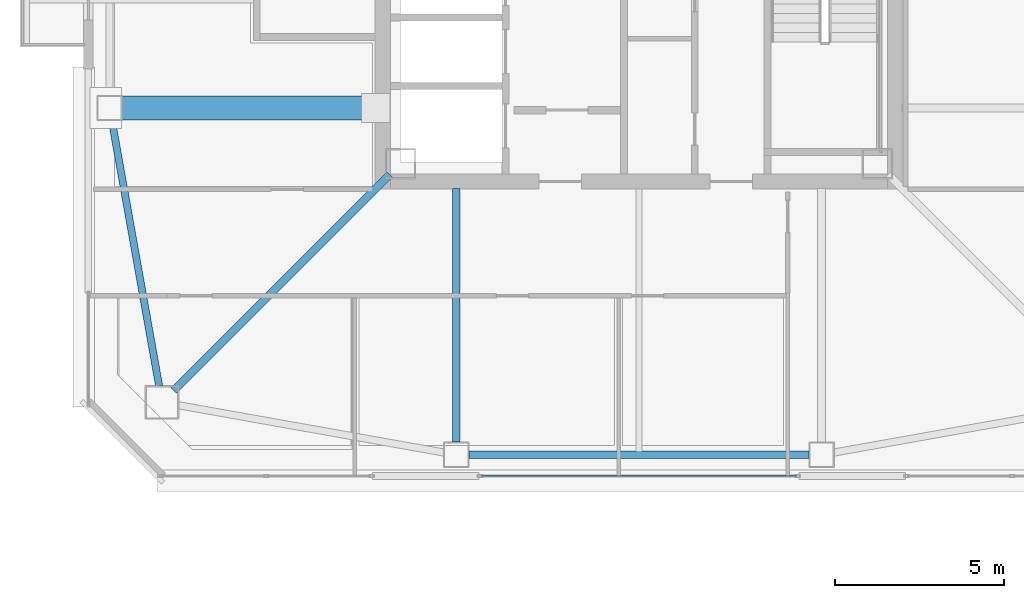
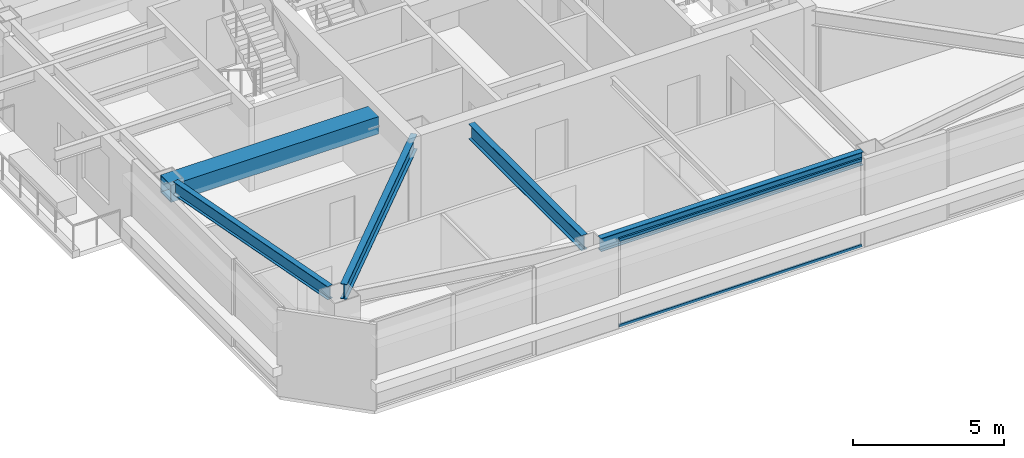
# One storey, part 4 of 39: 5 beams, 2 members, 1 element without a shape of its own.
"""IFC4 building model written with IfcOpenShell, lengths in metres."""

from ifc_helpers import new_model, si_unit, direction, frame, origin, origin_2d, place, context, subcontext, project, spatial, hollow_rectangle, i_section, extrude, material, material_profile, profile_set, type_object, element, aggregate, save


model = new_model("IFC4")

# Units and contexts
model_context = context("Model", 3, precision=1e-05, world=origin(), true_north=direction((0.0, 1.0)))
body_context = subcontext(model_context, "Body", "Model", "MODEL_VIEW")
ifc_project = project(units=[si_unit("LENGTHUNIT", "METRE"), si_unit("AREAUNIT", "SQUARE_METRE"), si_unit("VOLUMEUNIT", "CUBIC_METRE"), si_unit("PLANEANGLEUNIT", "RADIAN"), si_unit("MASSUNIT", "GRAM", prefix="KILO")], contexts=[model_context])

# Site, building, storey
site_placement = place(None, origin())
site = spatial("IfcSite", under=ifc_project, at=site_placement, CompositionType="ELEMENT")
building_placement = place(site_placement, origin())
building = spatial("IfcBuilding", under=site, at=building_placement, Name="Tashvorn Skyway Center", CompositionType="ELEMENT")
storey_placement = place(building_placement, frame((0.0, 0.0, 214.85009765625)))
storey = spatial("IfcBuildingStorey", under=building, at=storey_placement, Name="L58", CompositionType="ELEMENT", Elevation=214.85009765625)

# Beams
ifc_material_1 = material(Name="Steel ASTM A572 Grade 50", Category="steel")
ifc_material_profile_1 = material_profile(ifc_material_1, hollow_rectangle(XDim=0.699951171875, YDim=0.699951171875, WallThickness=0.028076171875, at=origin_2d()), Name="BOX700x700x28")
ifc_profile_set_1 = profile_set([ifc_material_profile_1], Name="Steel ASTM A572 Grade 50")
beam_type_1 = type_object("IfcBeamType", Name="BM-BEAM-BOX700x700x28", PredefinedType="BEAM", material=ifc_profile_set_1)
beam_1_placement = place(storey_placement, frame((34.219970703125, 26.60009765625, 2.869873046875), z_axis=(-1.0, 0.0, 0.0), x_axis=(0.0, -1.0, 0.0)))
element("IfcBeam", 1, at=beam_1_placement, inside=storey, type_object=beam_type_1, Name="Sky-Park Mega-Strut Anchor Outrigger 1", PredefinedType="BEAM", context=body_context, shape_type="SweptSolid", body=[
    extrude(hollow_rectangle(XDim=0.699951171875, YDim=0.699951171875, WallThickness=0.028076171875, at=origin_2d()), origin(), (0.0, 0.0, 1.0), 7.969970703125),
])
ifc_material_2 = material(Name="Steel ASTM A992 Grade 50", Category="steel")
ifc_material_profile_2 = material_profile(ifc_material_2, i_section(OverallWidth=0.22998046875, OverallDepth=0.616943359375, WebThickness=0.01318359375, FlangeThickness=0.022216796875, at=origin_2d()), Name="W24X94")
ifc_profile_set_2 = profile_set([ifc_material_profile_2], Name="Steel ASTM A992 Grade 50")
beam_type_2 = type_object("IfcBeamType", Name="BM-BEAM-W24X94", PredefinedType="BEAM", material=ifc_profile_set_2)
beam_2_placement = place(storey_placement, frame((28.25, 18.25, 3.0615234375), z_axis=(0.707106781187, 0.707106781187, 0.0), x_axis=(-0.707106781187, 0.707106781187, 0.0)))
element("IfcBeam", 2, at=beam_2_placement, inside=storey, type_object=beam_type_2, Name="Tower 1 L58 Primary Floor Girder MC-SW", PredefinedType="BEAM", context=body_context, shape_type="SweptSolid", body=[
    extrude(i_section(OverallWidth=0.22998046875, OverallDepth=0.616943359375, WebThickness=0.01318359375, FlangeThickness=0.022216796875, at=origin_2d()), origin(), (0.0, 0.0, 1.0), 9.030029296875),
])
beam_3_placement = place(storey_placement, frame((36.60009765625, 16.719970703125, 3.0615234375), z_axis=(0.0, 1.0, 0.0), x_axis=(-1.0, 0.0, 0.0)))
element("IfcBeam", 3, at=beam_3_placement, inside=storey, type_object=beam_type_2, Name="Tower 1 L58 Primary Floor Girder FC-S1", PredefinedType="BEAM", context=body_context, shape_type="SweptSolid", body=[
    extrude(i_section(OverallWidth=0.22998046875, OverallDepth=0.616943359375, WebThickness=0.01318359375, FlangeThickness=0.022216796875, at=origin_2d()), origin(), (0.0, 0.0, 1.0), 7.5),
])
ifc_material_profile_3 = material_profile(ifc_material_2, i_section(OverallWidth=0.2109375, OverallDepth=0.5390625, WebThickness=0.01171875, FlangeThickness=0.018798828125, at=origin_2d()), Name="W21X73")
ifc_profile_set_3 = profile_set([ifc_material_profile_3], Name="Steel ASTM A992 Grade 50")
beam_type_3 = type_object("IfcBeamType", Name="BM-SPANDREL-W21X73", PredefinedType="SPANDREL", material=ifc_profile_set_3)
beam_4_placement = place(storey_placement, frame((36.969970703125, 16.35009765625, 3.100341796875), z_axis=(1.0, 0.0, 0.0), x_axis=(0.0, 1.0, 0.0)))
element("IfcBeam", 4, at=beam_4_placement, inside=storey, type_object=beam_type_3, Name="Tower 1 L58 Spandrel Beam 02", PredefinedType="SPANDREL", context=body_context, shape_type="SweptSolid", body=[
    extrude(i_section(OverallWidth=0.2109375, OverallDepth=0.5390625, WebThickness=0.01171875, FlangeThickness=0.018798828125, at=origin_2d()), origin(), (0.0, 0.0, 1.0), 10.06005859375),
])
beam_5_placement = place(storey_placement, frame((26.414794921875, 26.23583984375, 3.100341796875), z_axis=(0.17541329759, -0.984494883191, 0.0), x_axis=(0.984494883191, 0.17541329759, 0.0)))
element("IfcBeam", 5, at=beam_5_placement, inside=storey, type_object=beam_type_3, Name="Tower 1 L58 Spandrel Beam 12", PredefinedType="SPANDREL", context=body_context, shape_type="SweptSolid", body=[
    extrude(i_section(OverallWidth=0.2109375, OverallDepth=0.5390625, WebThickness=0.01171875, FlangeThickness=0.018798828125, at=origin_2d()), origin(), (0.0, 0.0, 1.0), 7.97216796875),
])

# Curtain wall, members
ifc_material_3 = material(Name="Thermally broken bronze-anodized aluminium 6063-T6", Category="aluminium")
curtain_wall_type = type_object("IfcCurtainWallType", Name="CW-CW-Z5", PredefinedType="NOTDEFINED", material=ifc_material_3)
curtain_wall_placement = place(storey_placement, origin())
curtain_wall = element("IfcCurtainWall", 6, at=curtain_wall_placement, inside=storey, type_object=curtain_wall_type, Name="Tower 1 L58 South Unitised Curtain Wall Glazing Group 2", PredefinedType="NOTDEFINED")
ifc_material_profile_4 = material_profile(ifc_material_3, hollow_rectangle(XDim=0.070068359375, YDim=0.114990234375, WallThickness=0.00390625, at=origin_2d()), Name="ALU-TRAN-70x115")
ifc_profile_set_4 = profile_set([ifc_material_profile_4], Name="Thermally broken bronze-anodized aluminium 6063-T6")
member_type = type_object("IfcMemberType", Name="CWT-CW-Z5", PredefinedType="USERDEFINED", material=ifc_profile_set_4)
member_1_placement = place(storey_placement, frame((46.65673828125, 15.719970703125, 0.034912109375), z_axis=(-1.0, 0.0, 0.0), x_axis=(0.0, -1.0, 0.0)))
member_1 = element("IfcMember", 7, at=member_1_placement, type_object=member_type, Name="CW-Z5 transom 1.1", ObjectType="TRANSOM", PredefinedType="USERDEFINED", context=body_context, shape_type="SweptSolid", body=[
    extrude(hollow_rectangle(XDim=0.070068359375, YDim=0.114990234375, WallThickness=0.00390625, at=origin_2d()), origin(), (0.0, 0.0, 1.0), 9.3134765625),
])
member_2_placement = place(storey_placement, frame((46.65673828125, 15.719970703125, 3.514892578125), z_axis=(-1.0, 0.0, 0.0), x_axis=(0.0, -1.0, 0.0)))
member_2 = element("IfcMember", 8, at=member_2_placement, type_object=member_type, Name="CW-Z5 transom 1.2", ObjectType="TRANSOM", PredefinedType="USERDEFINED", context=body_context, shape_type="SweptSolid", body=[
    extrude(hollow_rectangle(XDim=0.070068359375, YDim=0.114990234375, WallThickness=0.00390625, at=origin_2d()), origin(), (0.0, 0.0, 1.0), 9.3134765625),
])
aggregate(curtain_wall, [member_1, member_2])

save(model, "model.ifc")
